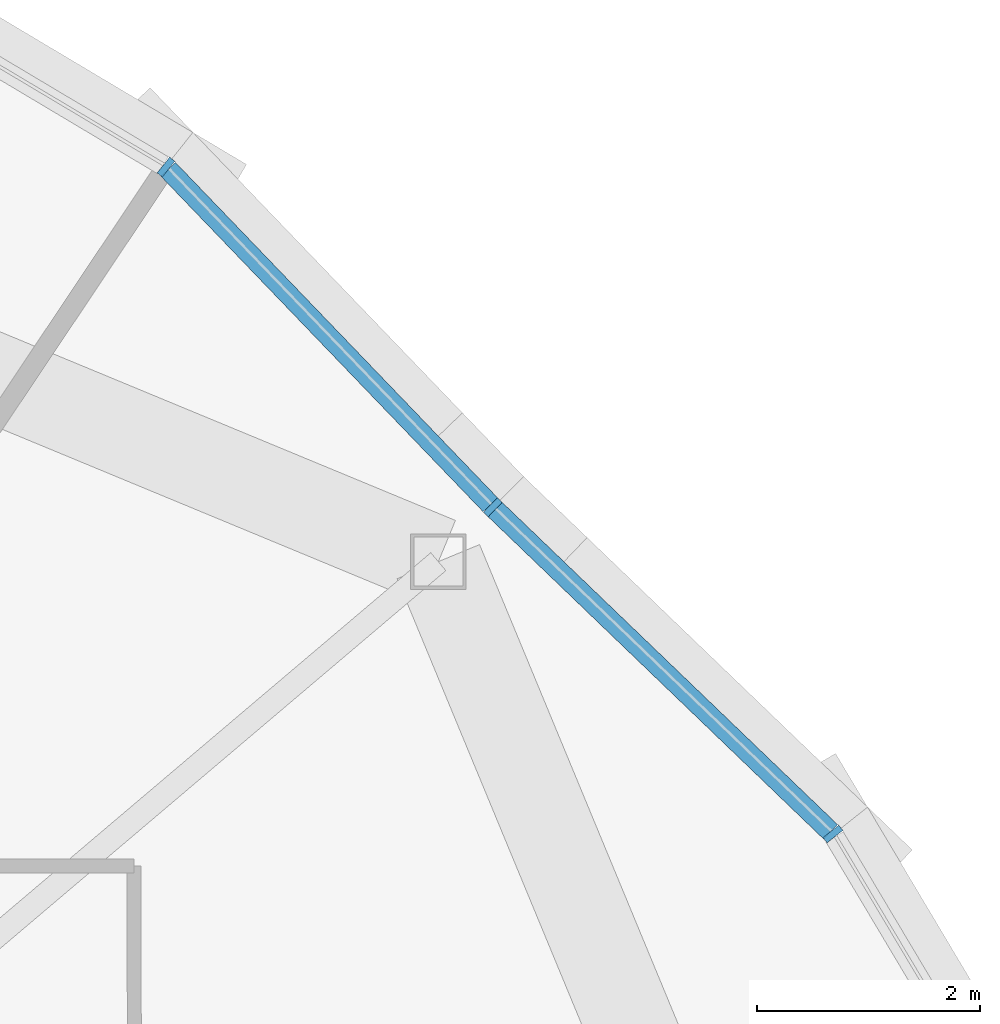
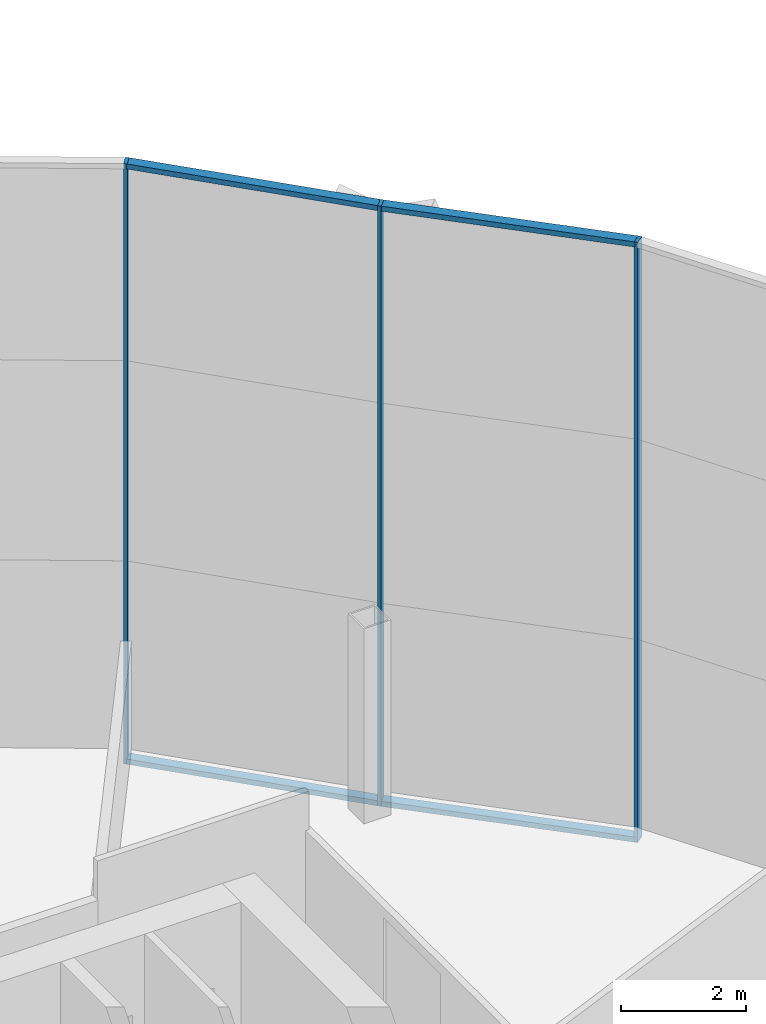
# One storey, part 8 of 25: 7 members, 2 elements without a shape of their own.
"""IFC4 building model written with IfcOpenShell, lengths in metres."""

import ifcopenshell
import ifcopenshell.guid

model = None  # the IFC model being written
_history = None  # IfcOwnerHistory: only IFC2X3 demands one
_inside = {}  # id of a spatial element -> (the spatial element, [elements in it])
_under = {}  # id of a project, library or spatial element -> (it, [spatial elements below it])
_declared = {}  # id of a project -> (the project, [libraries it declares])
_typed = {}  # id of a type object -> (the type object, [elements of that type])
_made_of = {}  # id of a material, layer set ... -> (it, [elements and type objects made of it])


def new_model(schema):
    """Start an empty IFC model of exactly this schema.

    Asked for "IFC4X3", IfcOpenShell would pick the latest addendum, in which some entities
    have other attributes; the version numbers below select the first issue.
    IFC2X3 requires an IfcOwnerHistory on every rooted entity: one is made here for all.
    """
    global model, _history
    if schema == "IFC4X3":
        model = ifcopenshell.file(schema_version=(4, 3, 0, 0))
    else:
        model = ifcopenshell.file(schema=schema)
    _inside.clear()
    _under.clear()
    _declared.clear()
    _typed.clear()
    _made_of.clear()
    _history = None
    if model.schema == "IFC2X3":
        org = make("IfcOrganization", Name="unknown")
        user = make(
            "IfcPersonAndOrganization",
            ThePerson=make("IfcPerson", FamilyName="unknown"),
            TheOrganization=org,
        )
        app = make(
            "IfcApplication",
            ApplicationDeveloper=org,
            Version="unknown",
            ApplicationFullName="unknown",
            ApplicationIdentifier="unknown",
        )
        _history = make(
            "IfcOwnerHistory",
            OwningUser=user,
            OwningApplication=app,
            ChangeAction="ADDED",
            CreationDate=0,
        )
    return model


def make(cls, **values):
    """One entity of the class cls with the attributes given. An attribute that is None is left unset."""
    return model.create_entity(
        cls, **{name: value for name, value in values.items() if value is not None}
    )


def rooted(cls, **values):
    """An entity with a GlobalId (a new one), such as an element, a storey or a relation."""
    return make(cls, GlobalId=ifcopenshell.guid.new(), OwnerHistory=_history, **values)


def si_unit(unit_type, name, prefix=None):
    """IfcSIUnit, for example si_unit("LENGTHUNIT", "METRE", prefix="MILLI")."""
    return make("IfcSIUnit", UnitType=unit_type, Prefix=prefix, Name=name)


def assignment(units):
    """IfcUnitAssignment: the units of a project."""
    return None if units is None else make("IfcUnitAssignment", Units=units)


def point(xyz):
    """IfcCartesianPoint."""
    return None if xyz is None else make("IfcCartesianPoint", Coordinates=xyz)


def direction(xyz):
    """IfcDirection."""
    return None if xyz is None else make("IfcDirection", DirectionRatios=xyz)


def frame(location, z_axis=None, x_axis=None):
    """IfcAxis2Placement3D, a coordinate frame: its origin and axes. An axis left out is left unset."""
    return make(
        "IfcAxis2Placement3D",
        Location=point(location),
        Axis=direction(z_axis),
        RefDirection=direction(x_axis),
    )


def frame_2d(location, x_axis=None):
    """IfcAxis2Placement2D, a coordinate frame in the plane: its origin and x axis."""
    return make(
        "IfcAxis2Placement2D", Location=point(location), RefDirection=direction(x_axis)
    )


def origin():
    """The frame at (0, 0, 0) with its axes left unset."""
    return frame((0.0, 0.0, 0.0))


def origin_2d():
    """The frame at (0, 0) in the plane with its x axis left unset."""
    return frame_2d((0.0, 0.0))


def place(relative_to, where):
    """IfcLocalPlacement: puts the frame where relative to a parent placement (None: the world)."""
    return make(
        "IfcLocalPlacement", PlacementRelTo=relative_to, RelativePlacement=where
    )


def context(
    kind, dimensions, precision=None, world=None, true_north=None, identifier=None
):
    """IfcGeometricRepresentationContext, for example the 3D "Model" context."""
    return make(
        "IfcGeometricRepresentationContext",
        ContextIdentifier=identifier,
        ContextType=kind,
        CoordinateSpaceDimension=dimensions,
        Precision=precision,
        WorldCoordinateSystem=world,
        TrueNorth=true_north,
    )


def subcontext(parent, identifier, kind, view, scale=None):
    """IfcGeometricRepresentationSubContext, for example "Body" below "Model"."""
    return make(
        "IfcGeometricRepresentationSubContext",
        ContextIdentifier=identifier,
        ContextType=kind,
        ParentContext=parent,
        TargetScale=scale,
        TargetView=view,
    )


def project(units=None, contexts=None):
    """IfcProject with its units and contexts."""
    return rooted(
        "IfcProject",
        Name="project",
        RepresentationContexts=contexts,
        UnitsInContext=assignment(units),
    )


def spatial(cls, under=None, at=None, **own):
    """A site, building, storey or space (cls), placed at a placement, below another one or the project."""
    s = rooted(cls, ObjectPlacement=at, **own)
    if under is not None:
        _under.setdefault(under.id(), (under, []))[1].append(s)
    return s


def profile(cls, at=None, kind="AREA", **sizes):
    """A parametric profile (cls). Its sizes go by their IFC names, for example OverallWidth=200.0."""
    return make(cls, ProfileType=kind, Position=at, **sizes)


def rectangle(**sizes):
    """IfcRectangleProfileDef."""
    return profile("IfcRectangleProfileDef", **sizes)


def extrude(swept, where, along, depth):
    """IfcExtrudedAreaSolid: the profile swept, set in the frame where, extruded along a direction by depth."""
    return make(
        "IfcExtrudedAreaSolid",
        SweptArea=swept,
        Position=where,
        ExtrudedDirection=direction(along),
        Depth=depth,
    )


def shape(context_of_items, identifier, shape_type, items):
    """IfcShapeRepresentation: the items that make up one representation, for example the "Body"."""
    return make(
        "IfcShapeRepresentation",
        ContextOfItems=context_of_items,
        RepresentationIdentifier=identifier,
        RepresentationType=shape_type,
        Items=items,
    )


def material(Name=None, Category=None):
    """IfcMaterial."""
    return make("IfcMaterial", Name=Name, Category=Category)


def material_profile(
    of_material, cross_section, Name=None, Category=None, Priority=None
):
    """IfcMaterialProfile: a cross section and its material."""
    return make(
        "IfcMaterialProfile",
        Name=Name,
        Material=of_material,
        Profile=cross_section,
        Priority=Priority,
        Category=Category,
    )


def profile_set(profiles, Name=None, composite=None):
    """IfcMaterialProfileSet."""
    return make(
        "IfcMaterialProfileSet",
        Name=Name,
        MaterialProfiles=profiles,
        CompositeProfile=composite,
    )


def made_of(thing, what):
    """Note that an element or type object is made of a material, layer set ...; save() writes the relation."""
    if what is not None:
        _made_of.setdefault(what.id(), (what, []))[1].append(thing)
    return thing


def type_object(cls, material=None, **own):
    """A type object (cls), such as IfcWallType, which elements share."""
    return made_of(rooted(cls, **own), material)


def element(
    cls,
    number,
    at=None,
    inside=None,
    cuts=None,
    type_object=None,
    material=None,
    context=None,
    identifier="Body",
    shape_type=None,
    held_by="IfcProductDefinitionShape",
    body=None,
    shapes=None,
    **own,
):
    """One element of the class cls, such as IfcWall. Its Tag is "e" and its number.

    at: its placement. inside: the storey or other place that contains it. cuts: it is an
    opening in that element (IfcRelVoidsElement). A single representation is given by context,
    identifier, shape_type and body (its items); several are given by shapes. held_by: the class
    of the entity that holds the representations. save() writes the other relations.
    """
    e = rooted(cls, Tag="e%d" % number, ObjectPlacement=at, **own)
    if body is not None:
        shapes = [shape(context, identifier, shape_type, body)]
    if shapes is not None:
        e.Representation = make(held_by, Representations=shapes)
    if inside is not None:
        _inside.setdefault(inside.id(), (inside, []))[1].append(e)
    if cuts is not None:
        rooted(
            "IfcRelVoidsElement", RelatingBuildingElement=cuts, RelatedOpeningElement=e
        )
    if type_object is not None:
        _typed.setdefault(type_object.id(), (type_object, []))[1].append(e)
    return made_of(e, material)


def aggregate(whole, parts):
    """IfcRelAggregates: a whole, such as a stair, and the parts it consists of."""
    return rooted("IfcRelAggregates", RelatingObject=whole, RelatedObjects=parts)


def save(model, path):
    """Write the relations noted so far, then the file.

    IfcRelAggregates (storeys below a building ...), IfcRelContainedInSpatialStructure (elements
    in a storey), IfcRelDefinesByType, IfcRelAssociatesMaterial and IfcRelDeclares: one each for
    every whole, place, type object, material and project.
    """
    for whole, parts in _under.values():
        aggregate(whole, parts)
    for where, things in _inside.values():
        rooted(
            "IfcRelContainedInSpatialStructure",
            RelatedElements=things,
            RelatingStructure=where,
        )
    for kind, things in _typed.values():
        rooted("IfcRelDefinesByType", RelatedObjects=things, RelatingType=kind)
    for what, things in _made_of.values():
        rooted("IfcRelAssociatesMaterial", RelatedObjects=things, RelatingMaterial=what)
    for by, libraries in _declared.values():
        rooted("IfcRelDeclares", RelatingContext=by, RelatedDefinitions=libraries)
    model.write(path)


model = new_model("IFC4")

# Units and contexts
model_context = context("Model", 3, precision=1e-05, world=origin(), true_north=direction((0.0, 1.0)))
body_context = subcontext(model_context, "Body", "Model", "MODEL_VIEW")
ifc_project = project(units=[si_unit("LENGTHUNIT", "METRE"), si_unit("AREAUNIT", "SQUARE_METRE"), si_unit("VOLUMEUNIT", "CUBIC_METRE"), si_unit("PLANEANGLEUNIT", "RADIAN"), si_unit("MASSUNIT", "GRAM", prefix="KILO")], contexts=[model_context])

# Site, building, storey
site_placement = place(None, origin())
site = spatial("IfcSite", under=ifc_project, at=site_placement, CompositionType="ELEMENT")
building_placement = place(site_placement, origin())
building = spatial("IfcBuilding", under=site, at=building_placement, Name="Ogive Gate Towers", CompositionType="ELEMENT")
storey_placement = place(building_placement, frame((0.0, 0.0, 196.800048828125)))
storey = spatial("IfcBuildingStorey", under=building, at=storey_placement, Name="L47", CompositionType="ELEMENT", Elevation=196.800048828125)

# Curtain wall, members
ifc_material = material(Name="Pale metal aluminium", Category="aluminium")
curtain_wall_type = type_object("IfcCurtainWallType", Name="Tower unitised wall, high zone", PredefinedType="NOTDEFINED", material=ifc_material)
curtain_wall_1_placement = place(storey_placement, origin())
curtain_wall_1 = element("IfcCurtainWall", 1, at=curtain_wall_1_placement, inside=storey, type_object=curtain_wall_type, Name="CW2 T1 ECW01", PredefinedType="NOTDEFINED")
ifc_material_profile_1 = material_profile(ifc_material, rectangle(XDim=0.179931640625, YDim=0.06005859375, at=origin_2d()), Name="60 x 180 aluminium box")
ifc_profile_set_1 = profile_set([ifc_material_profile_1], Name="Pale metal aluminium")
member_type_1 = type_object("IfcMemberType", Name="Tower unitised wall, high zone mullion 60 x 180", PredefinedType="MULLION", material=ifc_profile_set_1)
member_1_placement = place(storey_placement, frame((-17.952392578125, 12.068115234375, -0.300048828125), z_axis=(0.0, 0.0, 1.0), x_axis=(0.782879705596, 0.622173100162, 0.0)))
member_1 = element("IfcMember", 2, at=member_1_placement, type_object=member_type_1, Name="CW2 mullion", PredefinedType="MULLION", context=body_context, shape_type="SweptSolid", body=[
    extrude(rectangle(XDim=0.179931640625, YDim=0.06005859375, at=origin_2d()), origin(), (0.0, 0.0, 1.0), 11.699951171875),
])
member_2_placement = place(storey_placement, frame((-21.002197265625, 14.99755859375, -0.300048828125), z_axis=(0.0, 0.0, 1.0), x_axis=(0.692785351302, 0.72114385321, 0.0)))
member_2 = element("IfcMember", 3, at=member_2_placement, type_object=member_type_1, Name="CW2 mullion", PredefinedType="MULLION", context=body_context, shape_type="SweptSolid", body=[
    extrude(rectangle(XDim=0.179931640625, YDim=0.06005859375, at=origin_2d()), origin(), (0.0, 0.0, 1.0), 11.699951171875),
])

# Curtain wall, member
curtain_wall_2_placement = place(storey_placement, origin())
curtain_wall_2 = element("IfcCurtainWall", 4, at=curtain_wall_2_placement, inside=storey, type_object=curtain_wall_type, Name="CW2 T1 ECW02", PredefinedType="NOTDEFINED")
member_3_placement = place(storey_placement, frame((-23.931884765625, 18.047607421875, -0.300048828125), z_axis=(0.0, 0.0, 1.0), x_axis=(0.622173100162, 0.782879705596, 0.0)))
member_3 = element("IfcMember", 5, at=member_3_placement, type_object=member_type_1, Name="CW2 mullion", PredefinedType="MULLION", context=body_context, shape_type="SweptSolid", body=[
    extrude(rectangle(XDim=0.179931640625, YDim=0.06005859375, at=origin_2d()), origin(), (0.0, 0.0, 1.0), 11.699951171875),
])

# Member
ifc_material_profile_2 = material_profile(ifc_material, rectangle(XDim=0.179931640625, YDim=0.10009765625, at=origin_2d()), Name="100 x 180 aluminium box")
ifc_profile_set_2 = profile_set([ifc_material_profile_2], Name="Pale metal aluminium")
member_type_2 = type_object("IfcMemberType", Name="Tower unitised wall, high zone transom 100 x 180", PredefinedType="USERDEFINED", material=ifc_profile_set_2)
member_4_placement = place(storey_placement, frame((-17.97314453125, 12.087890625, 11.349853515625), z_axis=(-0.721161485843, 0.692766996426, 0.0), x_axis=(-0.692766996426, -0.721161485843, 0.0)))
member_4 = element("IfcMember", 6, at=member_4_placement, type_object=member_type_2, Name="CW2 transom", ObjectType="TRANSOM", PredefinedType="USERDEFINED", context=body_context, shape_type="SweptSolid", body=[
    extrude(rectangle(XDim=0.179931640625, YDim=0.10009765625, at=origin_2d()), origin(), (0.0, 0.0, 1.0), 4.170166015625),
])

member_5_placement = place(storey_placement, frame((-17.97314453125, 12.087890625, -0.25), z_axis=(-0.721161485843, 0.692766996426, 0.0), x_axis=(-0.692766996426, -0.721161485843, 0.0)))
member_5 = element("IfcMember", 7, at=member_5_placement, type_object=member_type_2, Name="CW2 transom", ObjectType="TRANSOM", PredefinedType="USERDEFINED", context=body_context, shape_type="SweptSolid", body=[
    extrude(rectangle(XDim=0.179931640625, YDim=0.10009765625, at=origin_2d()), origin(), (0.0, 0.0, 1.0), 4.170166015625),
])

aggregate(curtain_wall_1, [member_1, member_2, member_4, member_5])

member_6_placement = place(storey_placement, frame((-21.023193359375, 15.01953125, 11.349853515625), z_axis=(-0.692766996426, 0.721161485843, 0.0), x_axis=(-0.721161485843, -0.692766996426, 0.0)))
member_6 = element("IfcMember", 8, at=member_6_placement, type_object=member_type_2, Name="CW2 transom", ObjectType="TRANSOM", PredefinedType="USERDEFINED", context=body_context, shape_type="SweptSolid", body=[
    extrude(rectangle(XDim=0.179931640625, YDim=0.10009765625, at=origin_2d()), origin(), (0.0, 0.0, 1.0), 4.170166015625),
])

member_7_placement = place(storey_placement, frame((-21.023193359375, 15.01953125, -0.25), z_axis=(-0.692766996426, 0.721161485843, 0.0), x_axis=(-0.721161485843, -0.692766996426, 0.0)))
member_7 = element("IfcMember", 9, at=member_7_placement, type_object=member_type_2, Name="CW2 transom", ObjectType="TRANSOM", PredefinedType="USERDEFINED", context=body_context, shape_type="SweptSolid", body=[
    extrude(rectangle(XDim=0.179931640625, YDim=0.10009765625, at=origin_2d()), origin(), (0.0, 0.0, 1.0), 4.170166015625),
])

aggregate(curtain_wall_2, [member_3, member_6, member_7])

save(model, "model.ifc")
